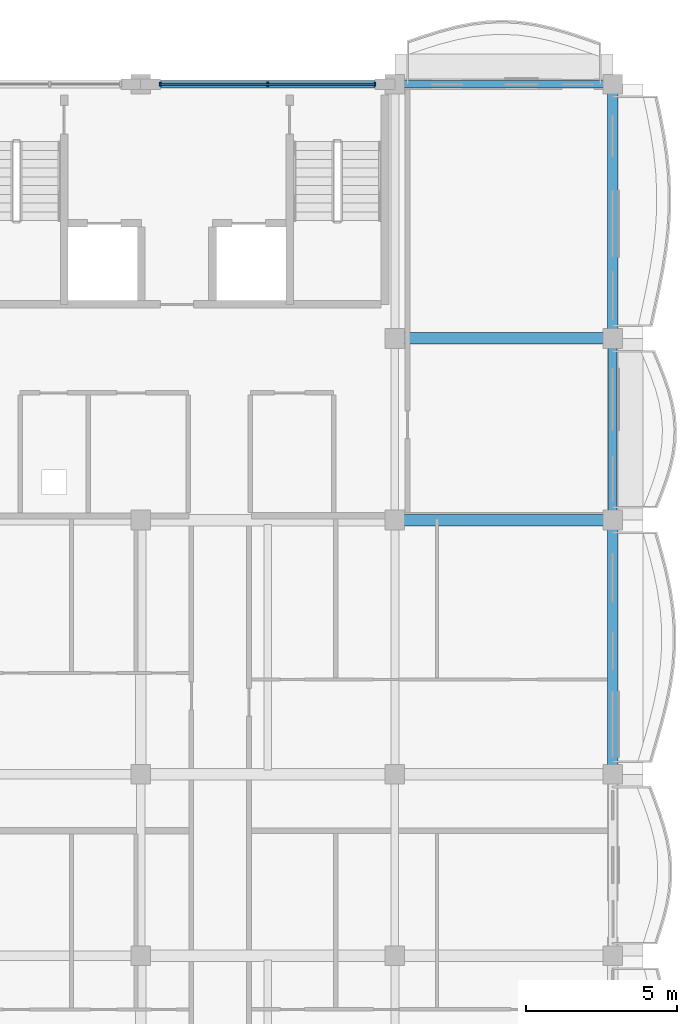
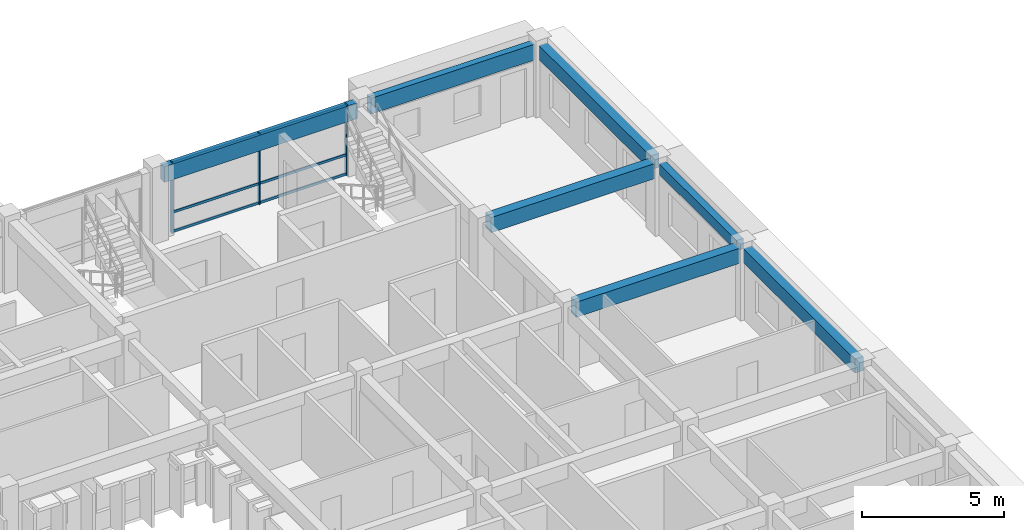
# One storey, part 10 of 70: 7 beams, 6 members, 1 element without a shape of its own.
"""IFC4 building model written with IfcOpenShell, lengths in metres."""

from ifc_helpers import new_model, si_unit, direction, frame, origin, origin_2d, place, context, subcontext, project, spatial, rectangle, extrude, material, material_profile, profile_set, type_object, element, aggregate, save


model = new_model("IFC4")

# Units and contexts
model_context = context("Model", 3, precision=1e-05, world=origin(), true_north=direction((0.0, 1.0)))
body_context = subcontext(model_context, "Body", "Model", "MODEL_VIEW")
ifc_project = project(units=[si_unit("LENGTHUNIT", "METRE"), si_unit("AREAUNIT", "SQUARE_METRE"), si_unit("VOLUMEUNIT", "CUBIC_METRE"), si_unit("PLANEANGLEUNIT", "RADIAN"), si_unit("MASSUNIT", "GRAM", prefix="KILO"), si_unit("THERMODYNAMICTEMPERATUREUNIT", "KELVIN")], contexts=[model_context])

# Site, building, storey
site_placement = place(None, origin())
site = spatial("IfcSite", under=ifc_project, at=site_placement, CompositionType="ELEMENT")
building_placement = place(site_placement, origin())
building = spatial("IfcBuilding", under=site, at=building_placement, Name="Thalorik Housing Commons", CompositionType="ELEMENT")
storey_placement = place(building_placement, frame((0.0, 0.0, 14.699951171875)))
storey = spatial("IfcBuildingStorey", under=building, at=storey_placement, Name="L04", CompositionType="ELEMENT", Elevation=14.699951171875)

# Curtain wall, members
ifc_material_1 = material(Name="Anodised aluminium and solar-control low-E glass", Category="aluminium")
curtain_wall_type = type_object("IfcCurtainWallType", Name="ARC-CW-CORE", PredefinedType="USERDEFINED", material=ifc_material_1)
curtain_wall_placement = place(storey_placement, origin())
curtain_wall = element("IfcCurtainWall", 1, at=curtain_wall_placement, inside=storey, type_object=curtain_wall_type, Name="L04 Curtain Wall CW-CORE-L04-B-089", ObjectType="CURTAIN WALL", PredefinedType="USERDEFINED")
ifc_material_2 = material(Name="Anodised aluminium 6063-T6", Category="aluminium")
ifc_material_profile_1 = material_profile(ifc_material_2, rectangle(XDim=0.054931640625, YDim=0.139892578125, at=origin_2d()), Name="ALU MUL 55x140", Category="aluminium")
ifc_profile_set_1 = profile_set([ifc_material_profile_1], Name="Anodised aluminium 6063-T6")
member_type_1 = type_object("IfcMemberType", Name="ARC-CW-MUL-55x140", PredefinedType="MULLION", material=ifc_profile_set_1)
member_1_placement = place(storey_placement, frame((166.14990234375, 123.60009765625, 0.0), z_axis=(0.0, 0.0, 1.0), x_axis=(-1.0, 0.0, 0.0)))
member_1 = element("IfcMember", 2, at=member_1_placement, type_object=member_type_1, Name="CW-CORE-L04-B-089 Mullion 1", PredefinedType="MULLION", context=body_context, shape_type="SweptSolid", body=[
    extrude(rectangle(XDim=0.054931640625, YDim=0.139892578125, at=origin_2d()), origin(), (0.0, 0.0, 1.0), 3.0400390625),
])
member_2_placement = place(storey_placement, frame((162.60009765625, 123.60009765625, 0.0), z_axis=(0.0, 0.0, 1.0), x_axis=(-1.0, 0.0, 0.0)))
member_2 = element("IfcMember", 3, at=member_2_placement, type_object=member_type_1, Name="CW-CORE-L04-B-089 Mullion 2", PredefinedType="MULLION", context=body_context, shape_type="SweptSolid", body=[
    extrude(rectangle(XDim=0.054931640625, YDim=0.139892578125, at=origin_2d()), origin(), (0.0, 0.0, 1.0), 3.0400390625),
])
member_3_placement = place(storey_placement, frame((159.050048828125, 123.60009765625, 0.0), z_axis=(0.0, 0.0, 1.0), x_axis=(-1.0, 0.0, 0.0)))
member_3 = element("IfcMember", 4, at=member_3_placement, type_object=member_type_1, Name="CW-CORE-L04-B-089 Mullion 3", PredefinedType="MULLION", context=body_context, shape_type="SweptSolid", body=[
    extrude(rectangle(XDim=0.054931640625, YDim=0.139892578125, at=origin_2d()), origin(), (0.0, 0.0, 1.0), 3.0400390625),
])
ifc_material_profile_2 = material_profile(ifc_material_2, rectangle(XDim=0.054931640625, YDim=0.10498046875, at=origin_2d()), Name="ALU TRN 55x105", Category="aluminium")
ifc_profile_set_2 = profile_set([ifc_material_profile_2], Name="Anodised aluminium 6063-T6")
member_type_2 = type_object("IfcMemberType", Name="ARC-CW-TRN-55x105", PredefinedType="USERDEFINED", material=ifc_profile_set_2)
member_4_placement = place(storey_placement, frame((166.14990234375, 123.60009765625, 0.054931640625), z_axis=(-1.0, 0.0, 0.0), x_axis=(0.0, -1.0, 0.0)))
member_4 = element("IfcMember", 5, at=member_4_placement, type_object=member_type_2, Name="CW-CORE-L04-B-089 Transom 1", ObjectType="TRANSOM", PredefinedType="USERDEFINED", context=body_context, shape_type="SweptSolid", body=[
    extrude(rectangle(XDim=0.054931640625, YDim=0.10498046875, at=origin_2d()), origin(), (0.0, 0.0, 1.0), 7.099853515625),
])
member_5_placement = place(storey_placement, frame((166.14990234375, 123.60009765625, 0.880126953125), z_axis=(-1.0, 0.0, 0.0), x_axis=(0.0, -1.0, 0.0)))
member_5 = element("IfcMember", 6, at=member_5_placement, type_object=member_type_2, Name="CW-CORE-L04-B-089 Transom 2", ObjectType="TRANSOM", PredefinedType="USERDEFINED", context=body_context, shape_type="SweptSolid", body=[
    extrude(rectangle(XDim=0.054931640625, YDim=0.10498046875, at=origin_2d()), origin(), (0.0, 0.0, 1.0), 7.099853515625),
])
member_6_placement = place(storey_placement, frame((166.14990234375, 123.60009765625, 2.985107421875), z_axis=(-1.0, 0.0, 0.0), x_axis=(0.0, -1.0, 0.0)))
member_6 = element("IfcMember", 7, at=member_6_placement, type_object=member_type_2, Name="CW-CORE-L04-B-089 Transom 3", ObjectType="TRANSOM", PredefinedType="USERDEFINED", context=body_context, shape_type="SweptSolid", body=[
    extrude(rectangle(XDim=0.054931640625, YDim=0.10498046875, at=origin_2d()), origin(), (0.0, 0.0, 1.0), 7.099853515625),
])
aggregate(curtain_wall, [member_1, member_2, member_3, member_4, member_5, member_6])

# Beams
ifc_material_3 = material(Name="Precast concrete C40/50", Category="concrete")
ifc_material_profile_3 = material_profile(ifc_material_3, rectangle(XDim=0.280029296875, YDim=0.449951171875, at=origin_2d()), Name="PC 280x450", Category="concrete")
ifc_profile_set_3 = profile_set([ifc_material_profile_3], Name="Precast concrete C40/50")
beam_type_1 = type_object("IfcBeamType", Name="STR-BM-PC280x450", PredefinedType="BEAM", material=ifc_profile_set_3)
beam_1_placement = place(storey_placement, frame((174.0, 109.47509765625, 2.81494140625), z_axis=(0.0, 1.0, 0.0), x_axis=(-1.0, 0.0, 0.0)))
element("IfcBeam", 8, at=beam_1_placement, inside=storey, type_object=beam_type_1, Name="L04 Beam B-450", PredefinedType="BEAM", context=body_context, shape_type="SweptSolid", body=[
    extrude(rectangle(XDim=0.280029296875, YDim=0.449951171875, at=origin_2d()), origin(), (0.0, 0.0, 1.0), 5.449951171875),
])
ifc_material_profile_4 = material_profile(ifc_material_3, rectangle(XDim=0.35009765625, YDim=0.60009765625, at=origin_2d()), Name="PC 350x600", Category="concrete")
ifc_profile_set_4 = profile_set([ifc_material_profile_4], Name="Precast concrete C40/50")
beam_type_2 = type_object("IfcBeamType", Name="STR-BM-PC350x600", PredefinedType="BEAM", material=ifc_profile_set_4)
beam_2_placement = place(storey_placement, frame((174.0, 101.074951171875, 2.739990234375), z_axis=(0.0, 1.0, 0.0), x_axis=(-1.0, 0.0, 0.0)))
element("IfcBeam", 9, at=beam_2_placement, inside=storey, type_object=beam_type_2, Name="L04 Beam B-600", PredefinedType="BEAM", context=body_context, shape_type="SweptSolid", body=[
    extrude(rectangle(XDim=0.35009765625, YDim=0.60009765625, at=origin_2d()), origin(), (0.0, 0.0, 1.0), 7.85009765625),
])
beam_3_placement = place(storey_placement, frame((174.0, 115.47509765625, 2.739990234375), z_axis=(0.0, 1.0, 0.0), x_axis=(-1.0, 0.0, 0.0)))
element("IfcBeam", 10, at=beam_3_placement, inside=storey, type_object=beam_type_2, Name="L04 Beam B-600", PredefinedType="BEAM", context=body_context, shape_type="SweptSolid", body=[
    extrude(rectangle(XDim=0.35009765625, YDim=0.60009765625, at=origin_2d()), origin(), (0.0, 0.0, 1.0), 7.849853515625),
])
ifc_material_profile_5 = material_profile(ifc_material_3, rectangle(XDim=0.3798828125, YDim=0.64990234375, at=origin_2d()), Name="PC 380x650", Category="concrete")
ifc_profile_set_5 = profile_set([ifc_material_profile_5], Name="Precast concrete C40/50")
beam_type_3 = type_object("IfcBeamType", Name="STR-BM-PC380x650", PredefinedType="BEAM", material=ifc_profile_set_5)
for number, where, z_axis, x_axis, name in (
    (11, (167.074951171875, 109.199951171875, 2.715087890625), (1.0, 0.0, 0.0), (0.0, 1.0, 0.0), "L04 Beam B-650"),
    (12, (167.074951171875, 115.199951171875, 2.715087890625), (1.0, 0.0, 0.0), (0.0, 1.0, 0.0), "L04 Beam B-650"),
):
    element("IfcBeam", number, at=place(storey_placement, frame(where, z_axis=z_axis, x_axis=x_axis)), inside=storey, type_object=beam_type_3, Name=name, PredefinedType="BEAM", context=body_context, shape_type="SweptSolid", body=[
        extrude(rectangle(XDim=0.3798828125, YDim=0.64990234375, at=origin_2d()), origin(), (0.0, 0.0, 1.0), 6.650146484375),
    ])
ifc_material_profile_6 = material_profile(ifc_material_3, rectangle(XDim=0.260009765625, YDim=0.679931640625, at=origin_2d()), Name="PC SP 260x680", Category="concrete")
ifc_profile_set_6 = profile_set([ifc_material_profile_6], Name="Precast concrete C40/50")
beam_type_4 = type_object("IfcBeamType", Name="STR-SP-PC260x680", PredefinedType="SPANDREL", material=ifc_profile_set_6)
beam_4_placement = place(storey_placement, frame((158.675048828125, 123.60009765625, 2.699951171875), z_axis=(1.0, 0.0, 0.0), x_axis=(0.0, 1.0, 0.0)))
element("IfcBeam", 13, at=beam_4_placement, inside=storey, type_object=beam_type_4, Name="L04 Beam B-650", PredefinedType="SPANDREL", context=body_context, shape_type="SweptSolid", body=[
    extrude(rectangle(XDim=0.260009765625, YDim=0.679931640625, at=origin_2d()), origin(), (0.0, 0.0, 1.0), 7.849853515625),
])
beam_5_placement = place(storey_placement, frame((167.074951171875, 123.60009765625, 2.699951171875), z_axis=(1.0, 0.0, 0.0), x_axis=(0.0, 1.0, 0.0)))
element("IfcBeam", 14, at=beam_5_placement, inside=storey, type_object=beam_type_4, Name="L04 Beam B-650", PredefinedType="SPANDREL", context=body_context, shape_type="SweptSolid", body=[
    extrude(rectangle(XDim=0.260009765625, YDim=0.679931640625, at=origin_2d()), origin(), (0.0, 0.0, 1.0), 6.650146484375),
])

save(model, "model.ifc")
